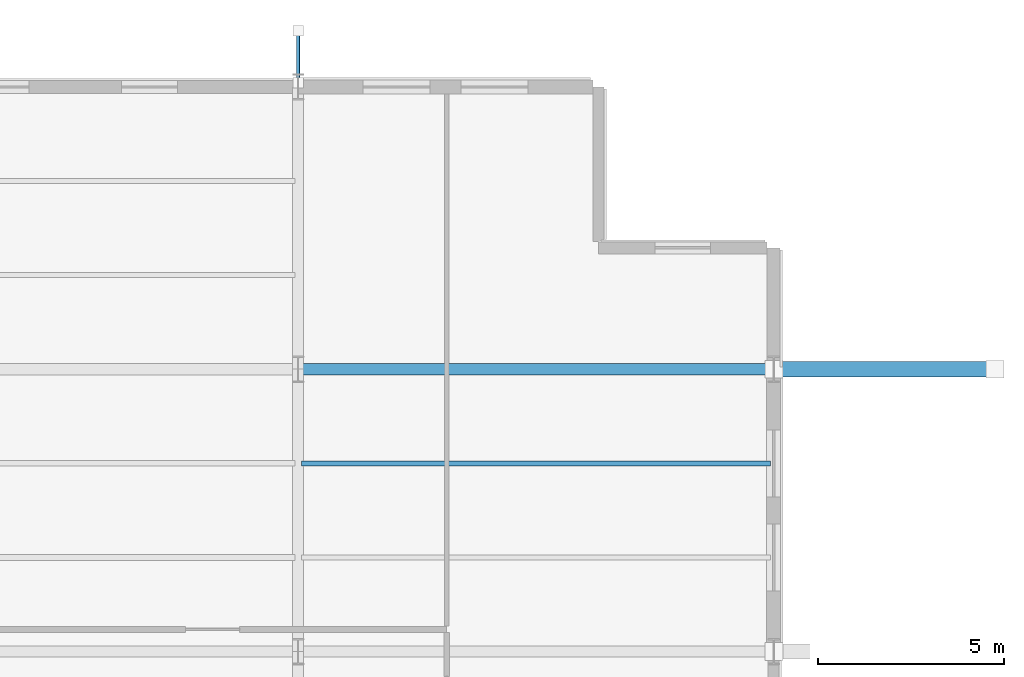
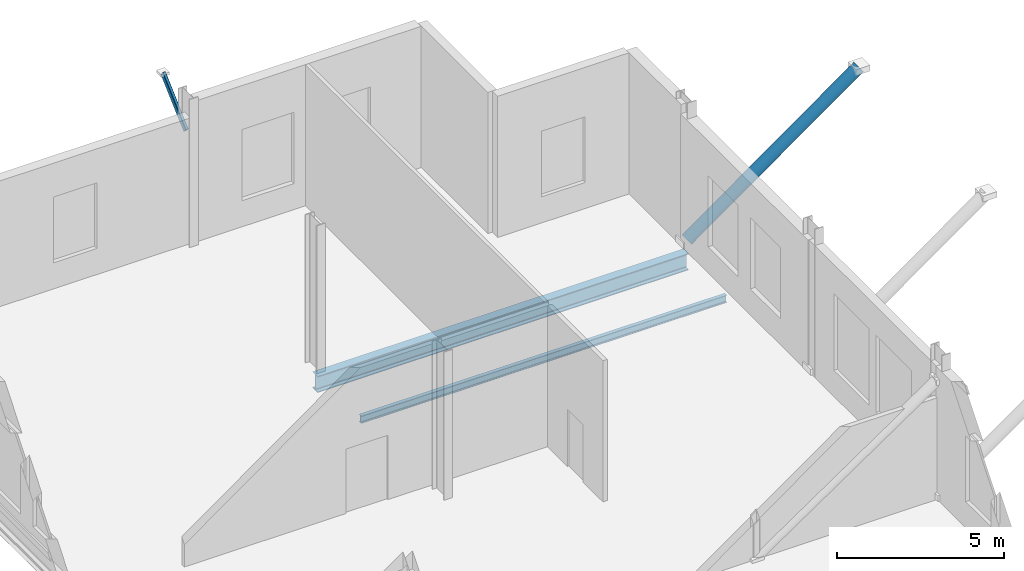
# One storey, part 98 of 147: 2 beams, 2 members.
"""IFC4 building model written with IfcOpenShell, lengths in metres."""

from ifc_helpers import new_model, si_unit, direction, frame, origin, origin_2d, place, context, subcontext, project, spatial, hollow_rectangle, hollow_circle, i_section, extrude, material, material_profile, profile_set, type_object, element, save


model = new_model("IFC4")

# Units and contexts
model_context = context("Model", 3, precision=1e-05, world=origin(), true_north=direction((0.0, 1.0)))
body_context = subcontext(model_context, "Body", "Model", "MODEL_VIEW")
ifc_project = project(units=[si_unit("LENGTHUNIT", "METRE"), si_unit("AREAUNIT", "SQUARE_METRE"), si_unit("VOLUMEUNIT", "CUBIC_METRE"), si_unit("PLANEANGLEUNIT", "RADIAN"), si_unit("MASSUNIT", "GRAM", prefix="KILO")], contexts=[model_context])

# Site, building, storey
site_placement = place(None, origin())
site = spatial("IfcSite", under=ifc_project, at=site_placement, CompositionType="ELEMENT")
building_placement = place(site_placement, origin())
building = spatial("IfcBuilding", under=site, at=building_placement, Name="Vekula Escarpment Museum", CompositionType="ELEMENT")
storey_placement = place(building_placement, frame((0.0, 0.0, 7.800048828125)))
storey = spatial("IfcBuildingStorey", under=building, at=storey_placement, Name="L02", CompositionType="ELEMENT", Elevation=7.800048828125)

# Beams
ifc_material_1 = material(Name="Steel S355", Category="steel")
ifc_material_profile_1 = material_profile(ifc_material_1, i_section(OverallWidth=0.300048828125, OverallDepth=0.60009765625, WebThickness=0.015380859375, FlangeThickness=0.030029296875, FilletRadius=0.027099609375, at=origin_2d()), Name="HEB 600")
ifc_profile_set_1 = profile_set([ifc_material_profile_1], Name="Steel S355")
beam_type_1 = type_object("IfcBeamType", Name="BM-GIRD-HEB600", PredefinedType="BEAM", material=ifc_profile_set_1)
beam_1_placement = place(storey_placement, frame((179.0, 128.39990234375, -0.56005859375), z_axis=(1.0, 0.0, 0.0), x_axis=(0.0, 1.0, 0.0)))
element("IfcBeam", 1, at=beam_1_placement, inside=storey, type_object=beam_type_1, Name="Beam X L02 1010", PredefinedType="BEAM", context=body_context, shape_type="SweptSolid", body=[
    extrude(i_section(OverallWidth=0.300048828125, OverallDepth=0.60009765625, WebThickness=0.015380859375, FlangeThickness=0.030029296875, FilletRadius=0.027099609375, at=origin_2d()), origin(), (0.0, 0.0, 1.0), 12.800048828125),
])
ifc_material_2 = material(Name="Steel S355", Category="steel")
ifc_material_profile_2 = material_profile(ifc_material_2, i_section(OverallWidth=0.135009765625, OverallDepth=0.27001953125, WebThickness=0.006591796875, FlangeThickness=0.01025390625, FilletRadius=0.014892578125, at=origin_2d()), Name="IPE 270")
ifc_profile_set_2 = profile_set([ifc_material_profile_2], Name="Steel S355")
beam_type_2 = type_object("IfcBeamType", Name="BM-JST-IPE270", PredefinedType="JOIST", material=ifc_profile_set_2)
beam_2_placement = place(storey_placement, frame((179.090087890625, 125.86669921875, -0.39501953125), z_axis=(1.0, 0.0, 0.0), x_axis=(0.0, 1.0, 0.0)))
element("IfcBeam", 2, at=beam_2_placement, inside=storey, type_object=beam_type_2, Name="Secondary Joist L02 0885", PredefinedType="JOIST", context=body_context, shape_type="SweptSolid", body=[
    extrude(i_section(OverallWidth=0.135009765625, OverallDepth=0.27001953125, WebThickness=0.006591796875, FlangeThickness=0.01025390625, FilletRadius=0.014892578125, at=origin_2d()), origin(), (0.0, 0.0, 1.0), 12.619873046875),
])

# Members
ifc_material_3 = material(Name="Steel S355", Category="steel")
ifc_material_profile_3 = material_profile(ifc_material_3, hollow_circle(Radius=0.203125, WallThickness=0.02001953125, at=origin_2d()), Name="CHS 406.4x20")
ifc_profile_set_3 = profile_set([ifc_material_profile_3], Name="Steel S355")
member_type_1 = type_object("IfcMemberType", Name="MB-ELIB-EXT", PredefinedType="STRUT", material=ifc_profile_set_3)
member_1_placement = place(storey_placement, frame((191.820068359375, 128.39990234375, 0.14990234375), z_axis=(0.814102450674, 0.0, 0.58072127549), x_axis=(0.0, 1.0, 0.0)))
element("IfcMember", 3, at=member_1_placement, inside=storey, type_object=member_type_1, Name="Cumba Exterior Elibogrunde Strut 11", PredefinedType="STRUT", context=body_context, shape_type="SweptSolid", body=[
    extrude(hollow_circle(Radius=0.203125, WallThickness=0.02001953125, at=origin_2d()), origin(), (0.0, 0.0, 1.0), 7.283935546875),
])
ifc_material_4 = material(Name="Steel S355", Category="steel")
ifc_material_profile_4 = material_profile(ifc_material_4, hollow_rectangle(XDim=0.10009765625, YDim=0.199951171875, WallThickness=0.008056640625, InnerFilletRadius=0.008056640625, OuterFilletRadius=0.01611328125, at=origin_2d()), Name="RHS 200x100x8")
ifc_profile_set_4 = profile_set([ifc_material_profile_4], Name="Steel S355")
member_type_2 = type_object("IfcMemberType", Name="MB-SACAK-BRK", PredefinedType="STRUT", material=ifc_profile_set_4)
member_2_placement = place(storey_placement, frame((179.0, 136.1201171875, 3.949951171875), z_axis=(0.0, 0.738454378718, 0.674303441006), x_axis=(-1.0, 0.0, 0.0)))
element("IfcMember", 4, at=member_2_placement, inside=storey, type_object=member_type_2, Name="Ottoman Sacak Eave Bracket L03-0090", PredefinedType="STRUT", context=body_context, shape_type="SweptSolid", body=[
    extrude(hollow_rectangle(XDim=0.10009765625, YDim=0.199951171875, WallThickness=0.008056640625, InnerFilletRadius=0.008056640625, OuterFilletRadius=0.01611328125, at=origin_2d()), origin(), (0.0, 0.0, 1.0), 1.86865234375),
])

save(model, "model.ifc")
